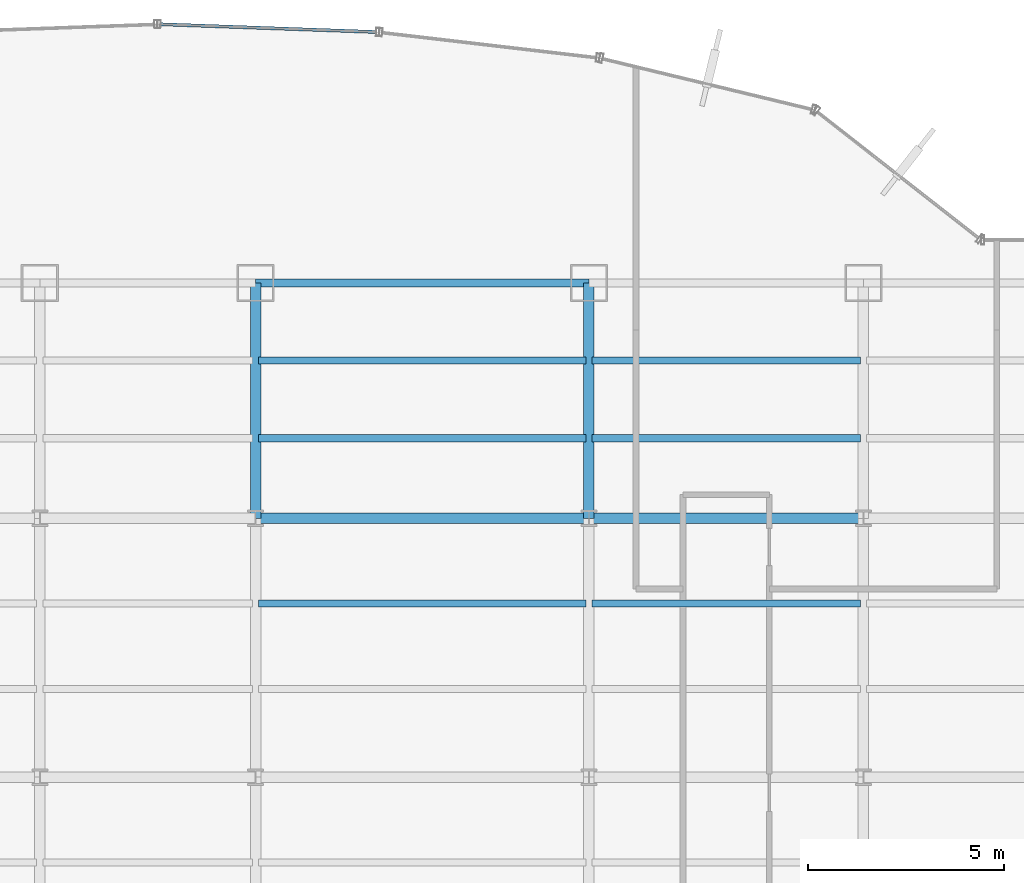
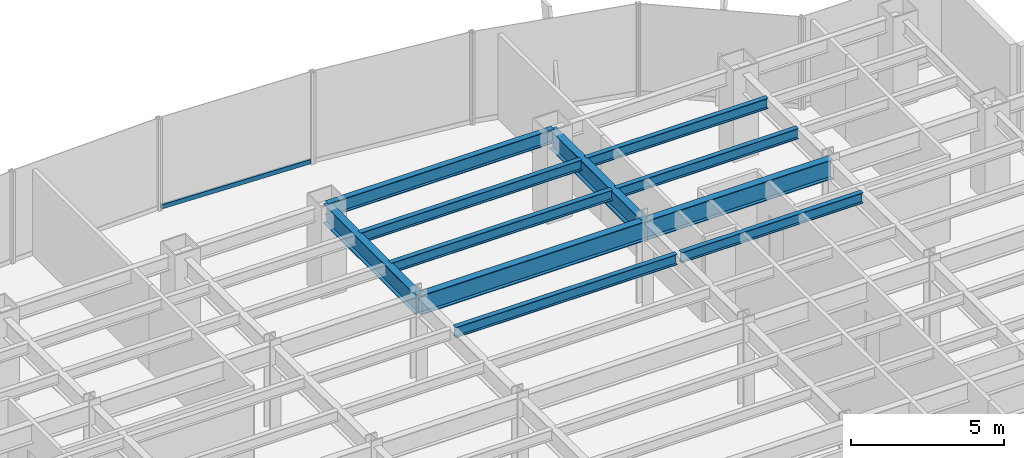
# One storey, part 13 of 22: 11 beams, 1 member, 1 element without a shape of its own.
"""IFC4 building model written with IfcOpenShell, lengths in metres."""

import ifcopenshell
import ifcopenshell.guid

model = None  # the IFC model being written
_history = None  # IfcOwnerHistory: only IFC2X3 demands one
_inside = {}  # id of a spatial element -> (the spatial element, [elements in it])
_under = {}  # id of a project, library or spatial element -> (it, [spatial elements below it])
_declared = {}  # id of a project -> (the project, [libraries it declares])
_typed = {}  # id of a type object -> (the type object, [elements of that type])
_made_of = {}  # id of a material, layer set ... -> (it, [elements and type objects made of it])


def new_model(schema):
    """Start an empty IFC model of exactly this schema.

    Asked for "IFC4X3", IfcOpenShell would pick the latest addendum, in which some entities
    have other attributes; the version numbers below select the first issue.
    IFC2X3 requires an IfcOwnerHistory on every rooted entity: one is made here for all.
    """
    global model, _history
    if schema == "IFC4X3":
        model = ifcopenshell.file(schema_version=(4, 3, 0, 0))
    else:
        model = ifcopenshell.file(schema=schema)
    _inside.clear()
    _under.clear()
    _declared.clear()
    _typed.clear()
    _made_of.clear()
    _history = None
    if model.schema == "IFC2X3":
        org = make("IfcOrganization", Name="unknown")
        user = make(
            "IfcPersonAndOrganization",
            ThePerson=make("IfcPerson", FamilyName="unknown"),
            TheOrganization=org,
        )
        app = make(
            "IfcApplication",
            ApplicationDeveloper=org,
            Version="unknown",
            ApplicationFullName="unknown",
            ApplicationIdentifier="unknown",
        )
        _history = make(
            "IfcOwnerHistory",
            OwningUser=user,
            OwningApplication=app,
            ChangeAction="ADDED",
            CreationDate=0,
        )
    return model


def make(cls, **values):
    """One entity of the class cls with the attributes given. An attribute that is None is left unset."""
    return model.create_entity(
        cls, **{name: value for name, value in values.items() if value is not None}
    )


def rooted(cls, **values):
    """An entity with a GlobalId (a new one), such as an element, a storey or a relation."""
    return make(cls, GlobalId=ifcopenshell.guid.new(), OwnerHistory=_history, **values)


def si_unit(unit_type, name, prefix=None):
    """IfcSIUnit, for example si_unit("LENGTHUNIT", "METRE", prefix="MILLI")."""
    return make("IfcSIUnit", UnitType=unit_type, Prefix=prefix, Name=name)


def derived_unit(unit_type, elements):
    """IfcDerivedUnit: a product of units, each with its exponent."""
    return make(
        "IfcDerivedUnit",
        Elements=[
            make("IfcDerivedUnitElement", Unit=unit, Exponent=power)
            for unit, power in elements
        ],
        UnitType=unit_type,
    )


def assignment(units):
    """IfcUnitAssignment: the units of a project."""
    return None if units is None else make("IfcUnitAssignment", Units=units)


def point(xyz):
    """IfcCartesianPoint."""
    return None if xyz is None else make("IfcCartesianPoint", Coordinates=xyz)


def direction(xyz):
    """IfcDirection."""
    return None if xyz is None else make("IfcDirection", DirectionRatios=xyz)


def frame(location, z_axis=None, x_axis=None):
    """IfcAxis2Placement3D, a coordinate frame: its origin and axes. An axis left out is left unset."""
    return make(
        "IfcAxis2Placement3D",
        Location=point(location),
        Axis=direction(z_axis),
        RefDirection=direction(x_axis),
    )


def frame_2d(location, x_axis=None):
    """IfcAxis2Placement2D, a coordinate frame in the plane: its origin and x axis."""
    return make(
        "IfcAxis2Placement2D", Location=point(location), RefDirection=direction(x_axis)
    )


def origin():
    """The frame at (0, 0, 0) with its axes left unset."""
    return frame((0.0, 0.0, 0.0))


def origin_2d():
    """The frame at (0, 0) in the plane with its x axis left unset."""
    return frame_2d((0.0, 0.0))


def place(relative_to, where):
    """IfcLocalPlacement: puts the frame where relative to a parent placement (None: the world)."""
    return make(
        "IfcLocalPlacement", PlacementRelTo=relative_to, RelativePlacement=where
    )


def context(
    kind, dimensions, precision=None, world=None, true_north=None, identifier=None
):
    """IfcGeometricRepresentationContext, for example the 3D "Model" context."""
    return make(
        "IfcGeometricRepresentationContext",
        ContextIdentifier=identifier,
        ContextType=kind,
        CoordinateSpaceDimension=dimensions,
        Precision=precision,
        WorldCoordinateSystem=world,
        TrueNorth=true_north,
    )


def subcontext(parent, identifier, kind, view, scale=None):
    """IfcGeometricRepresentationSubContext, for example "Body" below "Model"."""
    return make(
        "IfcGeometricRepresentationSubContext",
        ContextIdentifier=identifier,
        ContextType=kind,
        ParentContext=parent,
        TargetScale=scale,
        TargetView=view,
    )


def project(units=None, contexts=None):
    """IfcProject with its units and contexts."""
    return rooted(
        "IfcProject",
        Name="project",
        RepresentationContexts=contexts,
        UnitsInContext=assignment(units),
    )


def spatial(cls, under=None, at=None, **own):
    """A site, building, storey or space (cls), placed at a placement, below another one or the project."""
    s = rooted(cls, ObjectPlacement=at, **own)
    if under is not None:
        _under.setdefault(under.id(), (under, []))[1].append(s)
    return s


def profile(cls, at=None, kind="AREA", **sizes):
    """A parametric profile (cls). Its sizes go by their IFC names, for example OverallWidth=200.0."""
    return make(cls, ProfileType=kind, Position=at, **sizes)


def hollow_rectangle(**sizes):
    """IfcRectangleHollowProfileDef."""
    return profile("IfcRectangleHollowProfileDef", **sizes)


def i_section(**sizes):
    """IfcIShapeProfileDef."""
    return profile("IfcIShapeProfileDef", **sizes)


def extrude(swept, where, along, depth):
    """IfcExtrudedAreaSolid: the profile swept, set in the frame where, extruded along a direction by depth."""
    return make(
        "IfcExtrudedAreaSolid",
        SweptArea=swept,
        Position=where,
        ExtrudedDirection=direction(along),
        Depth=depth,
    )


def shape(context_of_items, identifier, shape_type, items):
    """IfcShapeRepresentation: the items that make up one representation, for example the "Body"."""
    return make(
        "IfcShapeRepresentation",
        ContextOfItems=context_of_items,
        RepresentationIdentifier=identifier,
        RepresentationType=shape_type,
        Items=items,
    )


def source(mapping_origin, context_of_items, identifier, shape_type, items):
    """IfcRepresentationMap: a shape defined once, which mapped items show again and again."""
    return make(
        "IfcRepresentationMap",
        MappingOrigin=mapping_origin,
        MappedRepresentation=shape(context_of_items, identifier, shape_type, items),
    )


def transform(
    local_origin,
    x_axis=None,
    y_axis=None,
    z_axis=None,
    scale=None,
    scale2=None,
    scale3=None,
    uniform=True,
):
    """IfcCartesianTransformationOperator3D, or its non-uniform kind. x_axis, y_axis, z_axis: its Axis1, 2, 3."""
    if uniform:
        return make(
            "IfcCartesianTransformationOperator3D",
            Axis1=direction(x_axis),
            Axis2=direction(y_axis),
            LocalOrigin=point(local_origin),
            Scale=scale,
            Axis3=direction(z_axis),
        )
    return make(
        "IfcCartesianTransformationOperator3DnonUniform",
        Axis1=direction(x_axis),
        Axis2=direction(y_axis),
        LocalOrigin=point(local_origin),
        Scale=scale,
        Axis3=direction(z_axis),
        Scale2=scale2,
        Scale3=scale3,
    )


def mapped(mapping_source, mapping_target):
    """IfcMappedItem: shows the shape of a source again, moved by a transform."""
    return make(
        "IfcMappedItem", MappingSource=mapping_source, MappingTarget=mapping_target
    )


def material(Name=None, Category=None):
    """IfcMaterial."""
    return make("IfcMaterial", Name=Name, Category=Category)


def material_profile(
    of_material, cross_section, Name=None, Category=None, Priority=None
):
    """IfcMaterialProfile: a cross section and its material."""
    return make(
        "IfcMaterialProfile",
        Name=Name,
        Material=of_material,
        Profile=cross_section,
        Priority=Priority,
        Category=Category,
    )


def profile_set(profiles, Name=None, composite=None):
    """IfcMaterialProfileSet."""
    return make(
        "IfcMaterialProfileSet",
        Name=Name,
        MaterialProfiles=profiles,
        CompositeProfile=composite,
    )


def made_of(thing, what):
    """Note that an element or type object is made of a material, layer set ...; save() writes the relation."""
    if what is not None:
        _made_of.setdefault(what.id(), (what, []))[1].append(thing)
    return thing


def type_object(cls, material=None, **own):
    """A type object (cls), such as IfcWallType, which elements share."""
    return made_of(rooted(cls, **own), material)


def element(
    cls,
    number,
    at=None,
    inside=None,
    cuts=None,
    type_object=None,
    material=None,
    context=None,
    identifier="Body",
    shape_type=None,
    held_by="IfcProductDefinitionShape",
    body=None,
    shapes=None,
    **own,
):
    """One element of the class cls, such as IfcWall. Its Tag is "e" and its number.

    at: its placement. inside: the storey or other place that contains it. cuts: it is an
    opening in that element (IfcRelVoidsElement). A single representation is given by context,
    identifier, shape_type and body (its items); several are given by shapes. held_by: the class
    of the entity that holds the representations. save() writes the other relations.
    """
    e = rooted(cls, Tag="e%d" % number, ObjectPlacement=at, **own)
    if body is not None:
        shapes = [shape(context, identifier, shape_type, body)]
    if shapes is not None:
        e.Representation = make(held_by, Representations=shapes)
    if inside is not None:
        _inside.setdefault(inside.id(), (inside, []))[1].append(e)
    if cuts is not None:
        rooted(
            "IfcRelVoidsElement", RelatingBuildingElement=cuts, RelatedOpeningElement=e
        )
    if type_object is not None:
        _typed.setdefault(type_object.id(), (type_object, []))[1].append(e)
    return made_of(e, material)


def aggregate(whole, parts):
    """IfcRelAggregates: a whole, such as a stair, and the parts it consists of."""
    return rooted("IfcRelAggregates", RelatingObject=whole, RelatedObjects=parts)


def save(model, path):
    """Write the relations noted so far, then the file.

    IfcRelAggregates (storeys below a building ...), IfcRelContainedInSpatialStructure (elements
    in a storey), IfcRelDefinesByType, IfcRelAssociatesMaterial and IfcRelDeclares: one each for
    every whole, place, type object, material and project.
    """
    for whole, parts in _under.values():
        aggregate(whole, parts)
    for where, things in _inside.values():
        rooted(
            "IfcRelContainedInSpatialStructure",
            RelatedElements=things,
            RelatingStructure=where,
        )
    for kind, things in _typed.values():
        rooted("IfcRelDefinesByType", RelatedObjects=things, RelatingType=kind)
    for what, things in _made_of.values():
        rooted("IfcRelAssociatesMaterial", RelatedObjects=things, RelatingMaterial=what)
    for by, libraries in _declared.values():
        rooted("IfcRelDeclares", RelatingContext=by, RelatedDefinitions=libraries)
    model.write(path)


model = new_model("IFC4")

# Units and contexts
model_context = context("Model", 3, precision=1e-05, world=origin(), true_north=direction((0.0, 1.0)))
body_context = subcontext(model_context, "Body", "Model", "MODEL_VIEW")
ifc_project = project(units=[si_unit("LENGTHUNIT", "METRE"), si_unit("AREAUNIT", "SQUARE_METRE"), si_unit("VOLUMEUNIT", "CUBIC_METRE"), si_unit("PLANEANGLEUNIT", "RADIAN"), si_unit("MASSUNIT", "GRAM", prefix="KILO"), derived_unit("THERMALTRANSMITTANCEUNIT", [(si_unit("POWERUNIT", "WATT"), 1), (si_unit("LENGTHUNIT", "METRE"), -2), (si_unit("THERMODYNAMICTEMPERATUREUNIT", "KELVIN"), -1)])], contexts=[model_context])

# Site, building, storey
site_placement = place(None, origin())
site = spatial("IfcSite", under=ifc_project, at=site_placement, CompositionType="ELEMENT")
building_placement = place(site_placement, origin())
building = spatial("IfcBuilding", under=site, at=building_placement, Name="Skarnbrae Concourse Arena and Tower", CompositionType="ELEMENT")
storey_placement = place(building_placement, frame((0.0, 0.0, 58.050048828125)))
storey = spatial("IfcBuildingStorey", under=building, at=storey_placement, Name="L13", CompositionType="ELEMENT", Elevation=58.050048828125)

# Beams
ifc_material_1 = material(Name="Steel CSA G40.21 350W", Category="steel")
ifc_material_profile_1 = material_profile(ifc_material_1, i_section(OverallWidth=0.26806640625, OverallDepth=0.77001953125, WebThickness=0.015625, FlangeThickness=0.025390625, at=origin_2d()), Name="W760X196")
ifc_profile_set_1 = profile_set([ifc_material_profile_1], Name="Steel CSA G40.21 350W")
beam_type_1 = type_object("IfcBeamType", Name="BM-GIRD-W760X196", PredefinedType="BEAM", material=ifc_profile_set_1)
shared_shape_1 = source(origin(), body_context, "Body", "SweptSolid", [
    extrude(i_section(OverallWidth=0.26806640625, OverallDepth=0.77001953125, WebThickness=0.015625, FlangeThickness=0.025390625, at=origin_2d()), origin(), (0.0, 0.0, 1.0), 7.0),
])
beam_1_placement = place(storey_placement, frame((42.0, 34.39990234375, 3.014892578125), z_axis=(1.0, 0.0, 0.0), x_axis=(0.0, 1.0, 0.0)))
element("IfcBeam", 1, at=beam_1_placement, inside=storey, type_object=beam_type_1, Name="L13 Primary E-W girder Y34.4-7", PredefinedType="BEAM", context=body_context, shape_type="MappedRepresentation", body=[
    mapped(shared_shape_1, transform((0.0, 0.0, 0.0))),
])
shared_shape_2 = source(origin(), body_context, "Body", "SweptSolid", [
    extrude(i_section(OverallWidth=0.26806640625, OverallDepth=0.77001953125, WebThickness=0.015625, FlangeThickness=0.025390625, at=origin_2d()), origin(), (0.0, 0.0, 1.0), 8.5),
])
beam_2_placement = place(storey_placement, frame((33.5, 34.39990234375, 3.014892578125), z_axis=(1.0, 0.0, 0.0), x_axis=(0.0, 1.0, 0.0)))
element("IfcBeam", 2, at=beam_2_placement, inside=storey, type_object=beam_type_1, Name="L13 Primary E-W girder Y34.4-6", PredefinedType="BEAM", context=body_context, shape_type="MappedRepresentation", body=[
    mapped(shared_shape_2, transform((0.0, 0.0, 0.0))),
])
shared_shape_3 = source(origin(), body_context, "Body", "SweptSolid", [
    extrude(i_section(OverallWidth=0.26806640625, OverallDepth=0.77001953125, WebThickness=0.015625, FlangeThickness=0.025390625, at=origin_2d()), origin(), (0.0, 0.0, 1.0), 6.0),
])
for number, where, z_axis, x_axis, name in (
    (3, (33.5, 34.39990234375, 3.014892578125), (0.0, 1.0, 0.0), (-1.0, 0.0, 0.0), "L13 Primary N-S girder X33.5-4"),
    (4, (42.0, 34.39990234375, 3.014892578125), (0.0, 1.0, 0.0), (-1.0, 0.0, 0.0), "L13 Primary N-S girder X42.0-5"),
):
    element("IfcBeam", number, at=place(storey_placement, frame(where, z_axis=z_axis, x_axis=x_axis)), inside=storey, type_object=beam_type_1, Name=name, PredefinedType="BEAM", context=body_context, shape_type="MappedRepresentation", body=[
        mapped(shared_shape_3, transform((0.0, 0.0, 0.0))),
    ])
ifc_material_profile_2 = material_profile(ifc_material_1, i_section(OverallWidth=0.214111328125, OverallDepth=0.549072265625, WebThickness=0.0146484375, FlangeThickness=0.023681640625, at=origin_2d()), Name="W530X138")
ifc_profile_set_2 = profile_set([ifc_material_profile_2], Name="Steel CSA G40.21 350W")
beam_type_2 = type_object("IfcBeamType", Name="BM-SPAN-W530X138", PredefinedType="SPANDREL", material=ifc_profile_set_2)
shared_shape_4 = source(origin(), body_context, "Body", "SweptSolid", [
    extrude(i_section(OverallWidth=0.214111328125, OverallDepth=0.549072265625, WebThickness=0.0146484375, FlangeThickness=0.023681640625, at=origin_2d()), origin(), (0.0, 0.0, 1.0), 8.5),
])
beam_3_placement = place(storey_placement, frame((33.5, 40.39990234375, 3.12548828125), z_axis=(1.0, 0.0, 0.0), x_axis=(0.0, 1.0, 0.0)))
element("IfcBeam", 5, at=beam_3_placement, inside=storey, type_object=beam_type_2, Name="L13 Perimeter spandrel Y40.4-5", PredefinedType="SPANDREL", context=body_context, shape_type="MappedRepresentation", body=[
    mapped(shared_shape_4, transform((0.0, 0.0, 0.0))),
])
ifc_material_profile_3 = material_profile(ifc_material_1, i_section(OverallWidth=0.180908203125, OverallDepth=0.4169921875, WebThickness=0.010986328125, FlangeThickness=0.018310546875, at=origin_2d()), Name="W410X85")
ifc_profile_set_3 = profile_set([ifc_material_profile_3], Name="Steel CSA G40.21 350W")
beam_type_3 = type_object("IfcBeamType", Name="BM-JOIST-W410X85", PredefinedType="JOIST", material=ifc_profile_set_3)
shared_shape_5 = source(origin(), body_context, "Body", "SweptSolid", [
    extrude(i_section(OverallWidth=0.180908203125, OverallDepth=0.4169921875, WebThickness=0.010986328125, FlangeThickness=0.018310546875, at=origin_2d()), origin(), (0.0, 0.0, 1.0), 8.33984375),
])
for number, where, z_axis, x_axis, name in (
    (6, (33.580078125, 32.221923828125, 3.19140625), (1.0, 0.0, 0.0), (0.0, 1.0, 0.0), "L13 Secondary floor joist 3.2.6"),
    (7, (33.580078125, 36.43994140625, 3.19140625), (1.0, 0.0, 0.0), (0.0, 1.0, 0.0), "L13 Secondary floor joist 4.1.5"),
    (8, (33.580078125, 38.419921875, 3.19140625), (1.0, 0.0, 0.0), (0.0, 1.0, 0.0), "L13 Secondary floor joist 4.2.5"),
):
    element("IfcBeam", number, at=place(storey_placement, frame(where, z_axis=z_axis, x_axis=x_axis)), inside=storey, type_object=beam_type_3, Name=name, PredefinedType="JOIST", context=body_context, shape_type="MappedRepresentation", body=[
        mapped(shared_shape_5, transform((0.0, 0.0, 0.0))),
    ])
shared_shape_6 = source(origin(), body_context, "Body", "SweptSolid", [
    extrude(i_section(OverallWidth=0.180908203125, OverallDepth=0.4169921875, WebThickness=0.010986328125, FlangeThickness=0.018310546875, at=origin_2d()), origin(), (0.0, 0.0, 1.0), 6.83984375),
])
for number, where, z_axis, x_axis, name in (
    (9, (42.080078125, 32.221923828125, 3.19140625), (1.0, 0.0, 0.0), (0.0, 1.0, 0.0), "L13 Secondary floor joist 3.2.7"),
    (10, (42.080078125, 36.43994140625, 3.19140625), (1.0, 0.0, 0.0), (0.0, 1.0, 0.0), "L13 Secondary floor joist 4.1.6"),
    (11, (42.080078125, 38.419921875, 3.19140625), (1.0, 0.0, 0.0), (0.0, 1.0, 0.0), "L13 Secondary floor joist 4.2.6"),
):
    element("IfcBeam", number, at=place(storey_placement, frame(where, z_axis=z_axis, x_axis=x_axis)), inside=storey, type_object=beam_type_3, Name=name, PredefinedType="JOIST", context=body_context, shape_type="MappedRepresentation", body=[
        mapped(shared_shape_6, transform((0.0, 0.0, 0.0))),
    ])

# Curtain wall, member
ifc_material_2 = material(Name="Bronze anodised aluminium 6063-T6", Category="aluminium")
curtain_wall_type = type_object("IfcCurtainWallType", Name="CW-SYS-03-PORTAL", PredefinedType="USERDEFINED", material=ifc_material_2)
curtain_wall_placement = place(storey_placement, origin())
curtain_wall = element("IfcCurtainWall", 12, at=curtain_wall_placement, inside=storey, type_object=curtain_wall_type, Name="L13 Unitised curtain wall CW-L13-E11", ObjectType="UNITISED CURTAIN WALL", PredefinedType="USERDEFINED")
ifc_material_profile_4 = material_profile(ifc_material_2, hollow_rectangle(XDim=0.080078125, YDim=0.169921875, WallThickness=0.00439453125, at=origin_2d()), Name="ALU-TRAN-80X170")
ifc_profile_set_4 = profile_set([ifc_material_profile_4], Name="Bronze anodised aluminium 6063-T6")
member_type = type_object("IfcMemberType", Name="CWT-CW-03", PredefinedType="USERDEFINED", material=ifc_profile_set_4)
shared_shape_7 = source(origin(), body_context, "Body", "SweptSolid", [
    extrude(hollow_rectangle(XDim=0.080078125, YDim=0.169921875, WallThickness=0.00439453125, at=origin_2d()), origin(), (0.0, 0.0, 1.0), 5.497802734375),
])
member_placement = place(storey_placement, frame((36.573974609375, 46.7998046875, 0.0849609375), z_axis=(-0.999356047798, 0.03588160712, 0.0), x_axis=(-0.03588160712, -0.999356047798, 0.0)))
member = element("IfcMember", 13, at=member_placement, type_object=member_type, Name="CW-L13-E11 Transom 1", ObjectType="TRANSOM", PredefinedType="USERDEFINED", context=body_context, shape_type="MappedRepresentation", body=[
    mapped(shared_shape_7, transform((0.0, 0.0, 0.0))),
])
aggregate(curtain_wall, [member])

save(model, "model.ifc")
